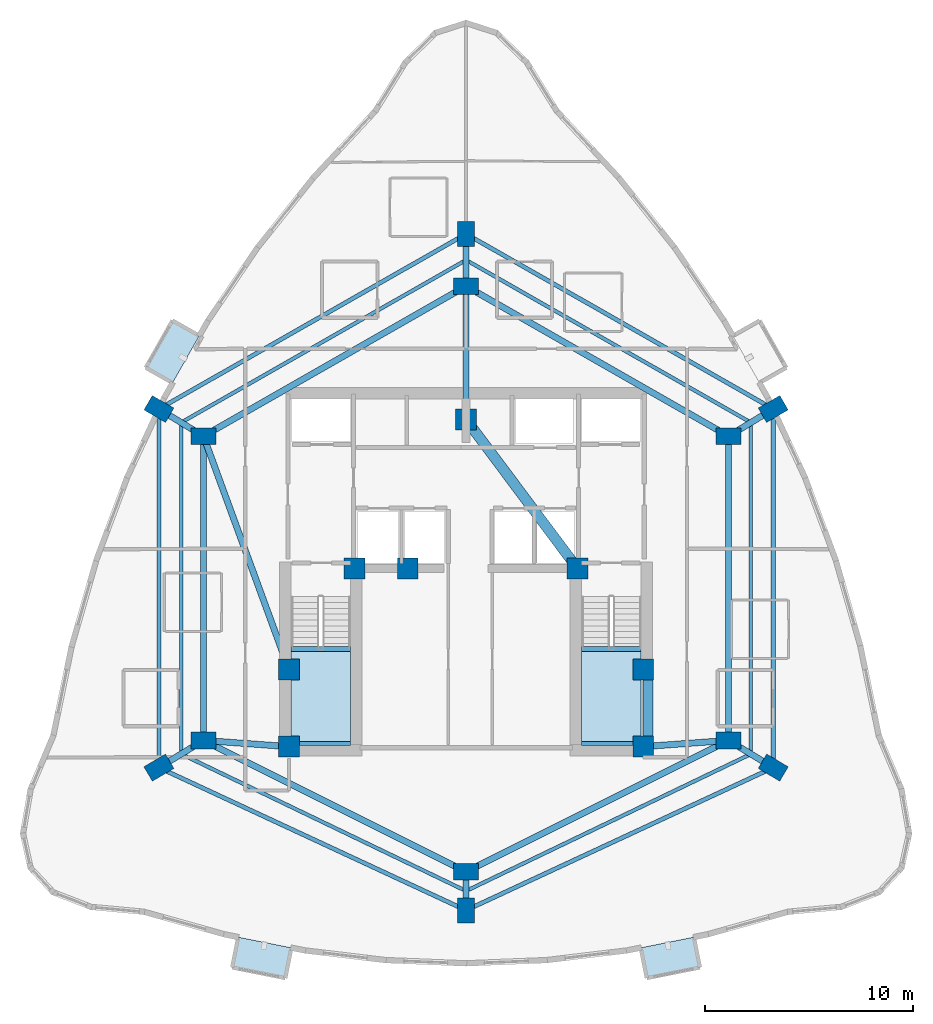
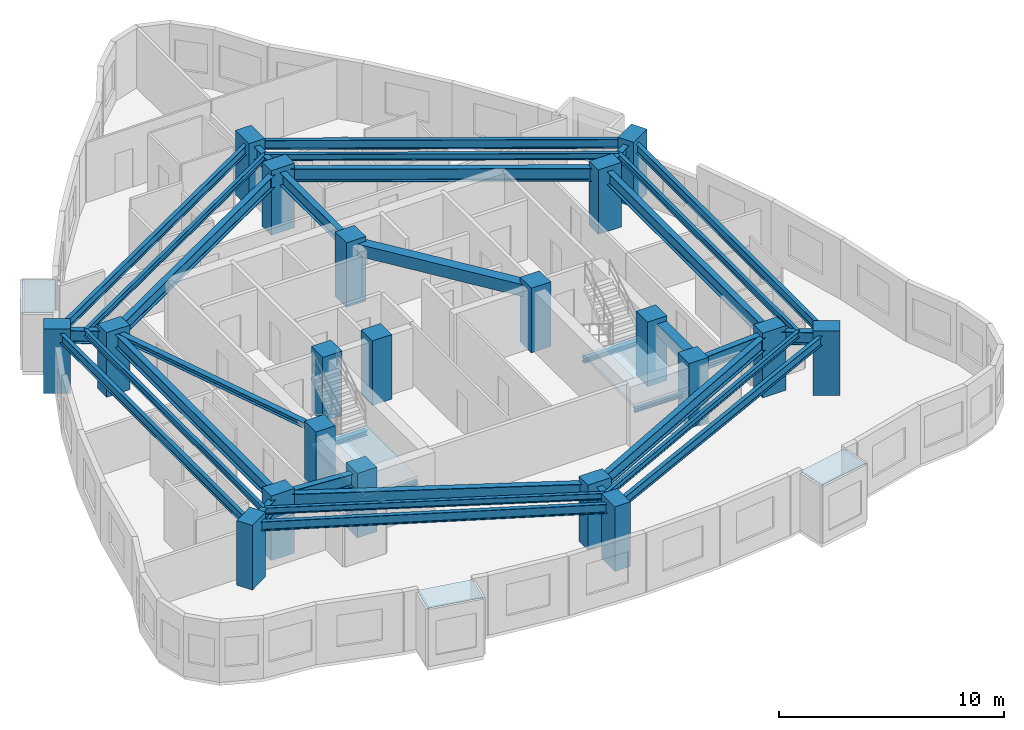
# One storey, part 1 of 10: 34 beams, 20 columns, 3 plates, 2 slabs, 2 elements without a shape of their own.
"""IFC4 building model written with IfcOpenShell, lengths in metres."""

import ifcopenshell
import ifcopenshell.guid

model = None  # the IFC model being written
_history = None  # IfcOwnerHistory: only IFC2X3 demands one
_inside = {}  # id of a spatial element -> (the spatial element, [elements in it])
_under = {}  # id of a project, library or spatial element -> (it, [spatial elements below it])
_declared = {}  # id of a project -> (the project, [libraries it declares])
_typed = {}  # id of a type object -> (the type object, [elements of that type])
_made_of = {}  # id of a material, layer set ... -> (it, [elements and type objects made of it])


def new_model(schema):
    """Start an empty IFC model of exactly this schema.

    Asked for "IFC4X3", IfcOpenShell would pick the latest addendum, in which some entities
    have other attributes; the version numbers below select the first issue.
    IFC2X3 requires an IfcOwnerHistory on every rooted entity: one is made here for all.
    """
    global model, _history
    if schema == "IFC4X3":
        model = ifcopenshell.file(schema_version=(4, 3, 0, 0))
    else:
        model = ifcopenshell.file(schema=schema)
    _inside.clear()
    _under.clear()
    _declared.clear()
    _typed.clear()
    _made_of.clear()
    _history = None
    if model.schema == "IFC2X3":
        org = make("IfcOrganization", Name="unknown")
        user = make(
            "IfcPersonAndOrganization",
            ThePerson=make("IfcPerson", FamilyName="unknown"),
            TheOrganization=org,
        )
        app = make(
            "IfcApplication",
            ApplicationDeveloper=org,
            Version="unknown",
            ApplicationFullName="unknown",
            ApplicationIdentifier="unknown",
        )
        _history = make(
            "IfcOwnerHistory",
            OwningUser=user,
            OwningApplication=app,
            ChangeAction="ADDED",
            CreationDate=0,
        )
    return model


def make(cls, **values):
    """One entity of the class cls with the attributes given. An attribute that is None is left unset."""
    return model.create_entity(
        cls, **{name: value for name, value in values.items() if value is not None}
    )


def rooted(cls, **values):
    """An entity with a GlobalId (a new one), such as an element, a storey or a relation."""
    return make(cls, GlobalId=ifcopenshell.guid.new(), OwnerHistory=_history, **values)


def si_unit(unit_type, name, prefix=None):
    """IfcSIUnit, for example si_unit("LENGTHUNIT", "METRE", prefix="MILLI")."""
    return make("IfcSIUnit", UnitType=unit_type, Prefix=prefix, Name=name)


def assignment(units):
    """IfcUnitAssignment: the units of a project."""
    return None if units is None else make("IfcUnitAssignment", Units=units)


def point(xyz):
    """IfcCartesianPoint."""
    return None if xyz is None else make("IfcCartesianPoint", Coordinates=xyz)


def direction(xyz):
    """IfcDirection."""
    return None if xyz is None else make("IfcDirection", DirectionRatios=xyz)


def frame(location, z_axis=None, x_axis=None):
    """IfcAxis2Placement3D, a coordinate frame: its origin and axes. An axis left out is left unset."""
    return make(
        "IfcAxis2Placement3D",
        Location=point(location),
        Axis=direction(z_axis),
        RefDirection=direction(x_axis),
    )


def frame_2d(location, x_axis=None):
    """IfcAxis2Placement2D, a coordinate frame in the plane: its origin and x axis."""
    return make(
        "IfcAxis2Placement2D", Location=point(location), RefDirection=direction(x_axis)
    )


def origin():
    """The frame at (0, 0, 0) with its axes left unset."""
    return frame((0.0, 0.0, 0.0))


def origin_2d():
    """The frame at (0, 0) in the plane with its x axis left unset."""
    return frame_2d((0.0, 0.0))


def place(relative_to, where):
    """IfcLocalPlacement: puts the frame where relative to a parent placement (None: the world)."""
    return make(
        "IfcLocalPlacement", PlacementRelTo=relative_to, RelativePlacement=where
    )


def context(
    kind, dimensions, precision=None, world=None, true_north=None, identifier=None
):
    """IfcGeometricRepresentationContext, for example the 3D "Model" context."""
    return make(
        "IfcGeometricRepresentationContext",
        ContextIdentifier=identifier,
        ContextType=kind,
        CoordinateSpaceDimension=dimensions,
        Precision=precision,
        WorldCoordinateSystem=world,
        TrueNorth=true_north,
    )


def subcontext(parent, identifier, kind, view, scale=None):
    """IfcGeometricRepresentationSubContext, for example "Body" below "Model"."""
    return make(
        "IfcGeometricRepresentationSubContext",
        ContextIdentifier=identifier,
        ContextType=kind,
        ParentContext=parent,
        TargetScale=scale,
        TargetView=view,
    )


def project(units=None, contexts=None):
    """IfcProject with its units and contexts."""
    return rooted(
        "IfcProject",
        Name="project",
        RepresentationContexts=contexts,
        UnitsInContext=assignment(units),
    )


def spatial(cls, under=None, at=None, **own):
    """A site, building, storey or space (cls), placed at a placement, below another one or the project."""
    s = rooted(cls, ObjectPlacement=at, **own)
    if under is not None:
        _under.setdefault(under.id(), (under, []))[1].append(s)
    return s


def polyline(points):
    """IfcPolyline through the points."""
    return make("IfcPolyline", Points=[point(p) for p in points])


def profile(cls, at=None, kind="AREA", **sizes):
    """A parametric profile (cls). Its sizes go by their IFC names, for example OverallWidth=200.0."""
    return make(cls, ProfileType=kind, Position=at, **sizes)


def rectangle(**sizes):
    """IfcRectangleProfileDef."""
    return profile("IfcRectangleProfileDef", **sizes)


def i_section(**sizes):
    """IfcIShapeProfileDef."""
    return profile("IfcIShapeProfileDef", **sizes)


def outline(outer, holes=None, kind="AREA"):
    """IfcArbitraryClosedProfileDef: a profile drawn as a closed curve; with holes, ...WithVoids."""
    if holes is None:
        return make("IfcArbitraryClosedProfileDef", ProfileType=kind, OuterCurve=outer)
    return make(
        "IfcArbitraryProfileDefWithVoids",
        ProfileType=kind,
        OuterCurve=outer,
        InnerCurves=holes,
    )


def extrude(swept, where, along, depth):
    """IfcExtrudedAreaSolid: the profile swept, set in the frame where, extruded along a direction by depth."""
    return make(
        "IfcExtrudedAreaSolid",
        SweptArea=swept,
        Position=where,
        ExtrudedDirection=direction(along),
        Depth=depth,
    )


def shape(context_of_items, identifier, shape_type, items):
    """IfcShapeRepresentation: the items that make up one representation, for example the "Body"."""
    return make(
        "IfcShapeRepresentation",
        ContextOfItems=context_of_items,
        RepresentationIdentifier=identifier,
        RepresentationType=shape_type,
        Items=items,
    )


def material(Name=None, Category=None):
    """IfcMaterial."""
    return make("IfcMaterial", Name=Name, Category=Category)


def layer(
    of_material, thickness, ventilated=None, Name=None, Category=None, Priority=None
):
    """IfcMaterialLayer: one layer of a wall or slab, of a material (None: an air gap)."""
    return make(
        "IfcMaterialLayer",
        Material=of_material,
        LayerThickness=thickness,
        IsVentilated=ventilated,
        Name=Name,
        Category=Category,
        Priority=Priority,
    )


def layer_set(layers, Name=None):
    """IfcMaterialLayerSet."""
    return make("IfcMaterialLayerSet", MaterialLayers=layers, LayerSetName=Name)


def material_profile(
    of_material, cross_section, Name=None, Category=None, Priority=None
):
    """IfcMaterialProfile: a cross section and its material."""
    return make(
        "IfcMaterialProfile",
        Name=Name,
        Material=of_material,
        Profile=cross_section,
        Priority=Priority,
        Category=Category,
    )


def profile_set(profiles, Name=None, composite=None):
    """IfcMaterialProfileSet."""
    return make(
        "IfcMaterialProfileSet",
        Name=Name,
        MaterialProfiles=profiles,
        CompositeProfile=composite,
    )


def made_of(thing, what):
    """Note that an element or type object is made of a material, layer set ...; save() writes the relation."""
    if what is not None:
        _made_of.setdefault(what.id(), (what, []))[1].append(thing)
    return thing


def type_object(cls, material=None, **own):
    """A type object (cls), such as IfcWallType, which elements share."""
    return made_of(rooted(cls, **own), material)


def element(
    cls,
    number,
    at=None,
    inside=None,
    cuts=None,
    type_object=None,
    material=None,
    context=None,
    identifier="Body",
    shape_type=None,
    held_by="IfcProductDefinitionShape",
    body=None,
    shapes=None,
    **own,
):
    """One element of the class cls, such as IfcWall. Its Tag is "e" and its number.

    at: its placement. inside: the storey or other place that contains it. cuts: it is an
    opening in that element (IfcRelVoidsElement). A single representation is given by context,
    identifier, shape_type and body (its items); several are given by shapes. held_by: the class
    of the entity that holds the representations. save() writes the other relations.
    """
    e = rooted(cls, Tag="e%d" % number, ObjectPlacement=at, **own)
    if body is not None:
        shapes = [shape(context, identifier, shape_type, body)]
    if shapes is not None:
        e.Representation = make(held_by, Representations=shapes)
    if inside is not None:
        _inside.setdefault(inside.id(), (inside, []))[1].append(e)
    if cuts is not None:
        rooted(
            "IfcRelVoidsElement", RelatingBuildingElement=cuts, RelatedOpeningElement=e
        )
    if type_object is not None:
        _typed.setdefault(type_object.id(), (type_object, []))[1].append(e)
    return made_of(e, material)


def aggregate(whole, parts):
    """IfcRelAggregates: a whole, such as a stair, and the parts it consists of."""
    return rooted("IfcRelAggregates", RelatingObject=whole, RelatedObjects=parts)


def save(model, path):
    """Write the relations noted so far, then the file.

    IfcRelAggregates (storeys below a building ...), IfcRelContainedInSpatialStructure (elements
    in a storey), IfcRelDefinesByType, IfcRelAssociatesMaterial and IfcRelDeclares: one each for
    every whole, place, type object, material and project.
    """
    for whole, parts in _under.values():
        aggregate(whole, parts)
    for where, things in _inside.values():
        rooted(
            "IfcRelContainedInSpatialStructure",
            RelatedElements=things,
            RelatingStructure=where,
        )
    for kind, things in _typed.values():
        rooted("IfcRelDefinesByType", RelatedObjects=things, RelatingType=kind)
    for what, things in _made_of.values():
        rooted("IfcRelAssociatesMaterial", RelatedObjects=things, RelatingMaterial=what)
    for by, libraries in _declared.values():
        rooted("IfcRelDeclares", RelatingContext=by, RelatedDefinitions=libraries)
    model.write(path)


model = new_model("IFC4")

# Units and contexts
model_context = context("Model", 3, precision=1e-05, world=origin(), true_north=direction((0.0, 1.0)))
body_context = subcontext(model_context, "Body", "Model", "MODEL_VIEW")
ifc_project = project(units=[si_unit("LENGTHUNIT", "METRE"), si_unit("AREAUNIT", "SQUARE_METRE"), si_unit("VOLUMEUNIT", "CUBIC_METRE"), si_unit("PLANEANGLEUNIT", "RADIAN"), si_unit("MASSUNIT", "GRAM", prefix="KILO")], contexts=[model_context])

# Site, building, storey
site_placement = place(None, origin())
site = spatial("IfcSite", under=ifc_project, at=site_placement, CompositionType="ELEMENT")
building_placement = place(site_placement, origin())
building = spatial("IfcBuilding", under=site, at=building_placement, Name="Miruveldt Soraemaru", CompositionType="ELEMENT")
storey_placement = place(building_placement, frame((0.0, 0.0, 166.89990234375)))
storey = spatial("IfcBuildingStorey", under=building, at=storey_placement, Name="L46", CompositionType="ELEMENT", Elevation=166.89990234375)

# Columns
ifc_material_1 = material(Name="Concrete C60/75 (60 MPa)", Category="concrete")
ifc_material_profile_1 = material_profile(ifc_material_1, rectangle(XDim=1.0, YDim=1.0, at=origin_2d()), Name="Concrete C60/75 (60 MPa)", Category="concrete")
ifc_profile_set_1 = profile_set([ifc_material_profile_1], Name="Concrete C60/75 (60 MPa)")
column_type_1 = type_object("IfcColumnType", Name="COL-CORE-1000", PredefinedType="COLUMN", material=ifc_profile_set_1)
for number, where, z_axis, x_axis, name in (
    (1, (35.5, 35.5, 0.0), (0.0, 0.0, 1.0), (1.0, 0.0, 0.0), "L46 Structural Column CC1"),
    (2, (38.64990234375, 44.050048828125, 0.0), (0.0, 0.0, 1.0), (1.0, 0.0, 0.0), "L46 Structural Column CC2"),
    (3, (52.5, 35.5, 0.0), (0.0, 0.0, 1.0), (1.0, 0.0, 0.0), "L46 Structural Column CC3"),
    (4, (52.5, 39.199951171875, 0.0), (0.0, 0.0, 1.0), (1.0, 0.0, 0.0), "L46 Structural Column CC4"),
    (5, (49.35009765625, 44.050048828125, 0.0), (0.0, 0.0, 1.0), (1.0, 0.0, 0.0), "L46 Structural Column CC5"),
    (6, (44.0, 51.199951171875, 0.0), (0.0, 0.0, 1.0), (1.0, 0.0, 0.0), "L46 Structural Column CC6"),
    (7, (35.5, 39.199951171875, 0.0), (0.0, 0.0, 1.0), (1.0, 0.0, 0.0), "L46 Structural Column CC7"),
    (8, (41.199951171875, 44.050048828125, 0.0), (0.0, 0.0, 1.0), (1.0, 0.0, 0.0), "L46 Structural Column CC8"),
):
    element("IfcColumn", number, at=place(storey_placement, frame(where, z_axis=z_axis, x_axis=x_axis)), inside=storey, type_object=column_type_1, Name=name, PredefinedType="COLUMN", context=body_context, shape_type="SweptSolid", body=[
        extrude(rectangle(XDim=1.0, YDim=1.0, at=origin_2d()), origin(), (0.0, 0.0, 1.0), 3.5),
    ])
ifc_material_2 = material(Name="Concrete C70/85 (70 MPa)", Category="concrete")
ifc_material_profile_2 = material_profile(ifc_material_2, rectangle(XDim=1.199951171875, YDim=0.800048828125, at=origin_2d()), Name="Concrete C70/85 (70 MPa)", Category="concrete")
ifc_profile_set_2 = profile_set([ifc_material_profile_2], Name="Concrete C70/85 (70 MPa)")
column_type_2 = type_object("IfcColumnType", Name="COL-TW-Z2", PredefinedType="COLUMN", material=ifc_profile_set_2)
for number, where, z_axis, x_axis, name in (
    (9, (44.0, 57.60009765625, 0.0), (0.0, 0.0, 1.0), (1.0, 0.0, 0.0), "L46 Structural Column IR01"),
    (10, (56.60009765625, 50.39990234375, 0.0), (0.0, 0.0, 1.0), (1.0, 0.0, 0.0), "L46 Structural Column IR02"),
    (11, (56.60009765625, 35.800048828125, 0.0), (0.0, 0.0, 1.0), (1.0, 0.0, 0.0), "L46 Structural Column IR03"),
    (12, (44.0, 29.5, 0.0), (0.0, 0.0, 1.0), (1.0, 0.0, 0.0), "L46 Structural Column IR04"),
    (13, (31.39990234375, 35.800048828125, 0.0), (0.0, 0.0, 1.0), (1.0, 0.0, 0.0), "L46 Structural Column IR05"),
    (14, (31.39990234375, 50.39990234375, 0.0), (0.0, 0.0, 1.0), (1.0, 0.0, 0.0), "L46 Structural Column IR06"),
    (15, (44.0, 60.10595703125, 0.0), (0.0, 0.0, 1.0), (0.0, 1.0, 0.0), "L46 Structural Column Z2P01"),
    (16, (58.739990234375, 51.705078125, 0.0), (0.0, 0.0, 1.0), (0.866025403784, 0.5, 0.0), "L46 Structural Column Z2P02"),
    (17, (58.739990234375, 34.4951171875, 0.0), (0.0, 0.0, 1.0), (-0.860742027004, 0.50904141575, 0.0), "L46 Structural Column Z2P03"),
    (18, (44.0, 27.64697265625, 0.0), (0.0, 0.0, 1.0), (0.0, 1.0, 0.0), "L46 Structural Column Z2P04"),
    (19, (29.260009765625, 34.4951171875, 0.0), (0.0, 0.0, 1.0), (0.860742027004, 0.50904141575, 0.0), "L46 Structural Column Z2P05"),
    (20, (29.260009765625, 51.705078125, 0.0), (0.0, 0.0, 1.0), (-0.866025403784, 0.5, 0.0), "L46 Structural Column Z2P06"),
):
    element("IfcColumn", number, at=place(storey_placement, frame(where, z_axis=z_axis, x_axis=x_axis)), inside=storey, type_object=column_type_2, Name=name, PredefinedType="COLUMN", context=body_context, shape_type="SweptSolid", body=[
        extrude(rectangle(XDim=1.199951171875, YDim=0.800048828125, at=origin_2d()), origin(), (0.0, 0.0, 1.0), 3.5),
    ])

# Beams
ifc_material_3 = material(Name="Steel SM355 (355 MPa)", Category="steel")
ifc_material_profile_3 = material_profile(ifc_material_3, i_section(OverallWidth=0.300048828125, OverallDepth=0.300048828125, WebThickness=0.010009765625, FlangeThickness=0.014892578125, FilletRadius=0.01806640625, at=origin_2d()), Name="Steel SM355 (355 MPa)", Category="steel")
ifc_profile_set_3 = profile_set([ifc_material_profile_3], Name="Steel SM355 (355 MPa)")
beam_type_1 = type_object("IfcBeamType", Name="BM-LNT-H300", PredefinedType="LINTEL", material=ifc_profile_set_3)
beam_1_placement = place(storey_placement, frame((31.39990234375, 50.39990234375, 3.085205078125), z_axis=(0.343770424598, -0.939053723262, 0.0), x_axis=(0.939053723262, 0.343770424598, 0.0)))
element("IfcBeam", 21, at=beam_1_placement, inside=storey, type_object=beam_type_1, Name="L46 West Lobby Lintel", PredefinedType="LINTEL", context=body_context, shape_type="SweptSolid", body=[
    extrude(i_section(OverallWidth=0.300048828125, OverallDepth=0.300048828125, WebThickness=0.010009765625, FlangeThickness=0.014892578125, FilletRadius=0.01806640625, at=origin_2d()), origin(), (0.0, 0.0, 1.0), 11.9267578125),
])
ifc_material_4 = material(Name="Concrete C50/60 (50 MPa)", Category="concrete")
ifc_material_profile_4 = material_profile(ifc_material_4, rectangle(XDim=0.5, YDim=0.64990234375, at=origin_2d()), Name="Concrete C50/60 (50 MPa)", Category="concrete")
ifc_profile_set_4 = profile_set([ifc_material_profile_4], Name="Concrete C50/60 (50 MPa)")
beam_type_2 = type_object("IfcBeamType", Name="BM-RC-500x650", PredefinedType="BEAM", material=ifc_profile_set_4)
beam_2_placement = place(storey_placement, frame((52.72998046875, 35.5, 2.91015625), z_axis=(0.0, 1.0, 0.0), x_axis=(-1.0, 0.0, 0.0)))
element("IfcBeam", 22, at=beam_2_placement, inside=storey, type_object=beam_type_2, Name="L46 Core Tie Beam 3", PredefinedType="BEAM", context=body_context, shape_type="SweptSolid", body=[
    extrude(rectangle(XDim=0.5, YDim=0.64990234375, at=origin_2d()), origin(), (0.0, 0.0, 1.0), 3.699951171875),
])
beam_3_placement = place(storey_placement, frame((49.35009765625, 44.050048828125, 2.91015625), z_axis=(-0.599116023999, 0.800662219533, 0.0), x_axis=(-0.800662219533, -0.599116023999, 0.0)))
element("IfcBeam", 23, at=beam_3_placement, inside=storey, type_object=beam_type_2, Name="L46 Core Tie Beam 5", PredefinedType="BEAM", context=body_context, shape_type="SweptSolid", body=[
    extrude(rectangle(XDim=0.5, YDim=0.64990234375, at=origin_2d()), origin(), (0.0, 0.0, 1.0), 8.929931640625),
])
ifc_material_profile_5 = material_profile(ifc_material_3, i_section(OverallWidth=0.175048828125, OverallDepth=0.35009765625, WebThickness=0.007080078125, FlangeThickness=0.010986328125, FilletRadius=0.013916015625, at=origin_2d()), Name="Steel SM355 (355 MPa)", Category="steel")
ifc_profile_set_5 = profile_set([ifc_material_profile_5], Name="Steel SM355 (355 MPa)")
beam_type_3 = type_object("IfcBeamType", Name="BM-ST-H350", PredefinedType="JOIST", material=ifc_profile_set_5)
beam_4_placement = place(storey_placement, frame((44.0, 58.85302734375, 3.06005859375), z_axis=(0.868539859756, -0.495619321672, 0.0), x_axis=(0.495619321672, 0.868539859756, 0.0)))
element("IfcBeam", 24, at=beam_4_placement, inside=storey, type_object=beam_type_3, Name="L46 Outer Bay Floor Joist 1", PredefinedType="JOIST", context=body_context, shape_type="SweptSolid", body=[
    extrude(i_section(OverallWidth=0.175048828125, OverallDepth=0.35009765625, WebThickness=0.007080078125, FlangeThickness=0.010986328125, FilletRadius=0.013916015625, at=origin_2d()), origin(), (0.0, 0.0, 1.0), 15.739013671875),
])
beam_5_placement = place(storey_placement, frame((57.669921875, 51.052490234375, 3.06005859375), z_axis=(0.0, -1.0, 0.0), x_axis=(1.0, 0.0, 0.0)))
element("IfcBeam", 25, at=beam_5_placement, inside=storey, type_object=beam_type_3, Name="L46 Outer Bay Floor Joist 2", PredefinedType="JOIST", context=body_context, shape_type="SweptSolid", body=[
    extrude(i_section(OverallWidth=0.175048828125, OverallDepth=0.35009765625, WebThickness=0.007080078125, FlangeThickness=0.010986328125, FilletRadius=0.013916015625, at=origin_2d()), origin(), (0.0, 0.0, 1.0), 15.905029296875),
])
for number, where, z_axis, x_axis, name in (
    (26, (57.669921875, 35.1474609375, 3.06005859375), (-0.901203586802, -0.433396002676, 0.0), (0.433396002676, -0.901203586802, 0.0), "L46 Outer Bay Floor Joist 3"),
    (27, (44.0, 28.573486328125, 3.06005859375), (-0.901203586802, 0.433396002676, 0.0), (-0.433396002676, -0.901203586802, 0.0), "L46 Outer Bay Floor Joist 4"),
):
    element("IfcBeam", number, at=place(storey_placement, frame(where, z_axis=z_axis, x_axis=x_axis)), inside=storey, type_object=beam_type_3, Name=name, PredefinedType="JOIST", context=body_context, shape_type="SweptSolid", body=[
        extrude(i_section(OverallWidth=0.175048828125, OverallDepth=0.35009765625, WebThickness=0.007080078125, FlangeThickness=0.010986328125, FilletRadius=0.013916015625, at=origin_2d()), origin(), (0.0, 0.0, 1.0), 15.16845703125),
    ])
beam_6_placement = place(storey_placement, frame((30.330078125, 35.1474609375, 3.06005859375), z_axis=(0.0, 1.0, 0.0), x_axis=(-1.0, 0.0, 0.0)))
element("IfcBeam", 28, at=beam_6_placement, inside=storey, type_object=beam_type_3, Name="L46 Outer Bay Floor Joist 5", PredefinedType="JOIST", context=body_context, shape_type="SweptSolid", body=[
    extrude(i_section(OverallWidth=0.175048828125, OverallDepth=0.35009765625, WebThickness=0.007080078125, FlangeThickness=0.010986328125, FilletRadius=0.013916015625, at=origin_2d()), origin(), (0.0, 0.0, 1.0), 15.905029296875),
])
beam_7_placement = place(storey_placement, frame((30.330078125, 51.052490234375, 3.06005859375), z_axis=(0.868539859756, 0.495619321672, 0.0), x_axis=(-0.495619321672, 0.868539859756, 0.0)))
element("IfcBeam", 29, at=beam_7_placement, inside=storey, type_object=beam_type_3, Name="L46 Outer Bay Floor Joist 6", PredefinedType="JOIST", context=body_context, shape_type="SweptSolid", body=[
    extrude(i_section(OverallWidth=0.175048828125, OverallDepth=0.35009765625, WebThickness=0.007080078125, FlangeThickness=0.010986328125, FilletRadius=0.013916015625, at=origin_2d()), origin(), (0.0, 0.0, 1.0), 15.739013671875),
])
ifc_material_profile_6 = material_profile(ifc_material_3, i_section(OverallWidth=0.199951171875, OverallDepth=0.5, WebThickness=0.010009765625, FlangeThickness=0.01611328125, FilletRadius=0.02001953125, at=origin_2d()), Name="Steel SM355 (355 MPa)", Category="steel")
ifc_profile_set_6 = profile_set([ifc_material_profile_6], Name="Steel SM355 (355 MPa)")
beam_type_4 = type_object("IfcBeamType", Name="BM-ST-H500", PredefinedType="SPANDREL", material=ifc_profile_set_6)
beam_8_placement = place(storey_placement, frame((44.0, 60.10595703125, 2.985107421875), z_axis=(0.86880048516, -0.495162313778, 0.0), x_axis=(0.495162313778, 0.86880048516, 0.0)))
element("IfcBeam", 30, at=beam_8_placement, inside=storey, type_object=beam_type_4, Name="L46 Zone-2 Spandrel Beam 1", PredefinedType="SPANDREL", context=body_context, shape_type="SweptSolid", body=[
    extrude(i_section(OverallWidth=0.199951171875, OverallDepth=0.5, WebThickness=0.010009765625, FlangeThickness=0.01611328125, FilletRadius=0.02001953125, at=origin_2d()), origin(), (0.0, 0.0, 1.0), 16.9658203125),
])
beam_9_placement = place(storey_placement, frame((58.739990234375, 51.705078125, 2.985107421875), z_axis=(0.0, -1.0, 0.0), x_axis=(1.0, 0.0, 0.0)))
element("IfcBeam", 31, at=beam_9_placement, inside=storey, type_object=beam_type_4, Name="L46 Zone-2 Spandrel Beam 2", PredefinedType="SPANDREL", context=body_context, shape_type="SweptSolid", body=[
    extrude(i_section(OverallWidth=0.199951171875, OverallDepth=0.5, WebThickness=0.010009765625, FlangeThickness=0.01611328125, FilletRadius=0.02001953125, at=origin_2d()), origin(), (0.0, 0.0, 1.0), 17.2099609375),
])
for number, where, z_axis, x_axis, name in (
    (32, (58.739990234375, 34.4951171875, 2.985107421875), (-0.906901362829, -0.421342993414, 0.0), (0.421342993414, -0.906901362829, 0.0), "L46 Zone-2 Spandrel Beam 3"),
    (33, (44.0, 27.64697265625, 2.985107421875), (-0.906901362829, 0.421342993414, 0.0), (-0.421342993414, -0.906901362829, 0.0), "L46 Zone-2 Spandrel Beam 4"),
):
    element("IfcBeam", number, at=place(storey_placement, frame(where, z_axis=z_axis, x_axis=x_axis)), inside=storey, type_object=beam_type_4, Name=name, PredefinedType="SPANDREL", context=body_context, shape_type="SweptSolid", body=[
        extrude(i_section(OverallWidth=0.199951171875, OverallDepth=0.5, WebThickness=0.010009765625, FlangeThickness=0.01611328125, FilletRadius=0.02001953125, at=origin_2d()), origin(), (0.0, 0.0, 1.0), 16.253173828125),
    ])
beam_10_placement = place(storey_placement, frame((29.260009765625, 34.4951171875, 2.985107421875), z_axis=(0.0, 1.0, 0.0), x_axis=(-1.0, 0.0, 0.0)))
element("IfcBeam", 34, at=beam_10_placement, inside=storey, type_object=beam_type_4, Name="L46 Zone-2 Spandrel Beam 5", PredefinedType="SPANDREL", context=body_context, shape_type="SweptSolid", body=[
    extrude(i_section(OverallWidth=0.199951171875, OverallDepth=0.5, WebThickness=0.010009765625, FlangeThickness=0.01611328125, FilletRadius=0.02001953125, at=origin_2d()), origin(), (0.0, 0.0, 1.0), 17.2099609375),
])
beam_11_placement = place(storey_placement, frame((29.260009765625, 51.705078125, 2.985107421875), z_axis=(0.86880048516, 0.495162313778, 0.0), x_axis=(-0.495162313778, 0.86880048516, 0.0)))
element("IfcBeam", 35, at=beam_11_placement, inside=storey, type_object=beam_type_4, Name="L46 Zone-2 Spandrel Beam 6", PredefinedType="SPANDREL", context=body_context, shape_type="SweptSolid", body=[
    extrude(i_section(OverallWidth=0.199951171875, OverallDepth=0.5, WebThickness=0.010009765625, FlangeThickness=0.01611328125, FilletRadius=0.02001953125, at=origin_2d()), origin(), (0.0, 0.0, 1.0), 16.9658203125),
])
ifc_material_profile_7 = material_profile(ifc_material_3, i_section(OverallWidth=0.300048828125, OverallDepth=0.699951171875, WebThickness=0.012939453125, FlangeThickness=0.02392578125, FilletRadius=0.028076171875, at=origin_2d()), Name="Steel SM355 (355 MPa)", Category="steel")
ifc_profile_set_7 = profile_set([ifc_material_profile_7], Name="Steel SM355 (355 MPa)")
beam_type_5 = type_object("IfcBeamType", Name="BM-ST-H700", PredefinedType="BEAM", material=ifc_profile_set_7)
beam_12_placement = place(storey_placement, frame((44.0, 57.60009765625, 2.885009765625), z_axis=(0.868239001029, -0.496146185203, 0.0), x_axis=(0.496146185203, 0.868239001029, 0.0)))
element("IfcBeam", 36, at=beam_12_placement, inside=storey, type_object=beam_type_5, Name="L46 Inner Ring Girder 1", PredefinedType="BEAM", context=body_context, shape_type="SweptSolid", body=[
    extrude(i_section(OverallWidth=0.300048828125, OverallDepth=0.699951171875, WebThickness=0.012939453125, FlangeThickness=0.02392578125, FilletRadius=0.028076171875, at=origin_2d()), origin(), (0.0, 0.0, 1.0), 14.51220703125),
])
beam_13_placement = place(storey_placement, frame((44.0, 51.199951171875, 2.885009765625), z_axis=(0.0, 1.0, 0.0), x_axis=(-1.0, 0.0, 0.0)))
element("IfcBeam", 37, at=beam_13_placement, inside=storey, type_object=beam_type_5, Name="L46 Core-to-Inner Radial Girder 1", PredefinedType="BEAM", context=body_context, shape_type="SweptSolid", body=[
    extrude(i_section(OverallWidth=0.300048828125, OverallDepth=0.699951171875, WebThickness=0.012939453125, FlangeThickness=0.02392578125, FilletRadius=0.028076171875, at=origin_2d()), origin(), (0.0, 0.0, 1.0), 6.400146484375),
])
beam_14_placement = place(storey_placement, frame((56.60009765625, 50.39990234375, 2.885009765625), z_axis=(0.0, -1.0, 0.0), x_axis=(1.0, 0.0, 0.0)))
element("IfcBeam", 38, at=beam_14_placement, inside=storey, type_object=beam_type_5, Name="L46 Inner Ring Girder 2", PredefinedType="BEAM", context=body_context, shape_type="SweptSolid", body=[
    extrude(i_section(OverallWidth=0.300048828125, OverallDepth=0.699951171875, WebThickness=0.012939453125, FlangeThickness=0.02392578125, FilletRadius=0.028076171875, at=origin_2d()), origin(), (0.0, 0.0, 1.0), 14.599853515625),
])
beam_15_placement = place(storey_placement, frame((56.60009765625, 35.800048828125, 2.885009765625), z_axis=(-0.894427191, -0.4472135955, 0.0), x_axis=(0.4472135955, -0.894427191, 0.0)))
element("IfcBeam", 39, at=beam_15_placement, inside=storey, type_object=beam_type_5, Name="L46 Inner Ring Girder 3", PredefinedType="BEAM", context=body_context, shape_type="SweptSolid", body=[
    extrude(i_section(OverallWidth=0.300048828125, OverallDepth=0.699951171875, WebThickness=0.012939453125, FlangeThickness=0.02392578125, FilletRadius=0.028076171875, at=origin_2d()), origin(), (0.0, 0.0, 1.0), 14.08740234375),
])
beam_16_placement = place(storey_placement, frame((52.5, 35.5, 2.885009765625), z_axis=(0.997332985605, 0.072985723431, 0.0), x_axis=(-0.072985723431, 0.997332985605, 0.0)))
element("IfcBeam", 40, at=beam_16_placement, inside=storey, type_object=beam_type_5, Name="L46 Core-to-Inner Radial Girder 3", PredefinedType="BEAM", context=body_context, shape_type="SweptSolid", body=[
    extrude(i_section(OverallWidth=0.300048828125, OverallDepth=0.699951171875, WebThickness=0.012939453125, FlangeThickness=0.02392578125, FilletRadius=0.028076171875, at=origin_2d()), origin(), (0.0, 0.0, 1.0), 4.111083984375),
])
beam_17_placement = place(storey_placement, frame((44.0, 29.5, 2.885009765625), z_axis=(-0.894427191, 0.4472135955, 0.0), x_axis=(-0.4472135955, -0.894427191, 0.0)))
element("IfcBeam", 41, at=beam_17_placement, inside=storey, type_object=beam_type_5, Name="L46 Inner Ring Girder 4", PredefinedType="BEAM", context=body_context, shape_type="SweptSolid", body=[
    extrude(i_section(OverallWidth=0.300048828125, OverallDepth=0.699951171875, WebThickness=0.012939453125, FlangeThickness=0.02392578125, FilletRadius=0.028076171875, at=origin_2d()), origin(), (0.0, 0.0, 1.0), 14.08740234375),
])
beam_18_placement = place(storey_placement, frame((31.39990234375, 35.800048828125, 2.885009765625), z_axis=(0.0, 1.0, 0.0), x_axis=(-1.0, 0.0, 0.0)))
element("IfcBeam", 42, at=beam_18_placement, inside=storey, type_object=beam_type_5, Name="L46 Inner Ring Girder 5", PredefinedType="BEAM", context=body_context, shape_type="SweptSolid", body=[
    extrude(i_section(OverallWidth=0.300048828125, OverallDepth=0.699951171875, WebThickness=0.012939453125, FlangeThickness=0.02392578125, FilletRadius=0.028076171875, at=origin_2d()), origin(), (0.0, 0.0, 1.0), 14.599853515625),
])
beam_19_placement = place(storey_placement, frame((35.5, 35.5, 2.885009765625), z_axis=(-0.997332985605, 0.072985723431, 0.0), x_axis=(-0.072985723431, -0.997332985605, 0.0)))
element("IfcBeam", 43, at=beam_19_placement, inside=storey, type_object=beam_type_5, Name="L46 Core-to-Inner Radial Girder 5", PredefinedType="BEAM", context=body_context, shape_type="SweptSolid", body=[
    extrude(i_section(OverallWidth=0.300048828125, OverallDepth=0.699951171875, WebThickness=0.012939453125, FlangeThickness=0.02392578125, FilletRadius=0.028076171875, at=origin_2d()), origin(), (0.0, 0.0, 1.0), 4.111083984375),
])
beam_20_placement = place(storey_placement, frame((31.39990234375, 50.39990234375, 2.885009765625), z_axis=(0.868239001029, 0.496146185203, 0.0), x_axis=(-0.496146185203, 0.868239001029, 0.0)))
element("IfcBeam", 44, at=beam_20_placement, inside=storey, type_object=beam_type_5, Name="L46 Inner Ring Girder 6", PredefinedType="BEAM", context=body_context, shape_type="SweptSolid", body=[
    extrude(i_section(OverallWidth=0.300048828125, OverallDepth=0.699951171875, WebThickness=0.012939453125, FlangeThickness=0.02392578125, FilletRadius=0.028076171875, at=origin_2d()), origin(), (0.0, 0.0, 1.0), 14.51220703125),
])
beam_21_placement = place(storey_placement, frame((44.0, 57.60009765625, 2.885009765625), z_axis=(0.0, 1.0, 0.0), x_axis=(-1.0, 0.0, 0.0)))
element("IfcBeam", 45, at=beam_21_placement, inside=storey, type_object=beam_type_5, Name="L46 Zone-2 Radial Girder 1", PredefinedType="BEAM", context=body_context, shape_type="SweptSolid", body=[
    extrude(i_section(OverallWidth=0.300048828125, OverallDepth=0.699951171875, WebThickness=0.012939453125, FlangeThickness=0.02392578125, FilletRadius=0.028076171875, at=origin_2d()), origin(), (0.0, 0.0, 1.0), 2.505859375),
])
beam_22_placement = place(storey_placement, frame((56.60009765625, 50.39990234375, 2.885009765625), z_axis=(0.85373175529, 0.520713059188, 0.0), x_axis=(-0.520713059188, 0.85373175529, 0.0)))
element("IfcBeam", 46, at=beam_22_placement, inside=storey, type_object=beam_type_5, Name="L46 Zone-2 Radial Girder 2", PredefinedType="BEAM", context=body_context, shape_type="SweptSolid", body=[
    extrude(i_section(OverallWidth=0.300048828125, OverallDepth=0.699951171875, WebThickness=0.012939453125, FlangeThickness=0.02392578125, FilletRadius=0.028076171875, at=origin_2d()), origin(), (0.0, 0.0, 1.0), 2.506591796875),
])
beam_23_placement = place(storey_placement, frame((56.60009765625, 35.800048828125, 2.885009765625), z_axis=(0.853775054686, -0.5206420613, 0.0), x_axis=(0.5206420613, 0.853775054686, 0.0)))
element("IfcBeam", 47, at=beam_23_placement, inside=storey, type_object=beam_type_5, Name="L46 Zone-2 Radial Girder 3", PredefinedType="BEAM", context=body_context, shape_type="SweptSolid", body=[
    extrude(i_section(OverallWidth=0.300048828125, OverallDepth=0.699951171875, WebThickness=0.012939453125, FlangeThickness=0.02392578125, FilletRadius=0.028076171875, at=origin_2d()), origin(), (0.0, 0.0, 1.0), 2.50634765625),
])
beam_24_placement = place(storey_placement, frame((44.0, 29.5, 2.885009765625), z_axis=(0.0, -1.0, 0.0), x_axis=(1.0, 0.0, 0.0)))
element("IfcBeam", 48, at=beam_24_placement, inside=storey, type_object=beam_type_5, Name="L46 Zone-2 Radial Girder 4", PredefinedType="BEAM", context=body_context, shape_type="SweptSolid", body=[
    extrude(i_section(OverallWidth=0.300048828125, OverallDepth=0.699951171875, WebThickness=0.012939453125, FlangeThickness=0.02392578125, FilletRadius=0.028076171875, at=origin_2d()), origin(), (0.0, 0.0, 1.0), 1.85302734375),
])
beam_25_placement = place(storey_placement, frame((31.39990234375, 35.800048828125, 2.885009765625), z_axis=(-0.853775054686, -0.5206420613, 0.0), x_axis=(0.5206420613, -0.853775054686, 0.0)))
element("IfcBeam", 49, at=beam_25_placement, inside=storey, type_object=beam_type_5, Name="L46 Zone-2 Radial Girder 5", PredefinedType="BEAM", context=body_context, shape_type="SweptSolid", body=[
    extrude(i_section(OverallWidth=0.300048828125, OverallDepth=0.699951171875, WebThickness=0.012939453125, FlangeThickness=0.02392578125, FilletRadius=0.028076171875, at=origin_2d()), origin(), (0.0, 0.0, 1.0), 2.50634765625),
])
beam_26_placement = place(storey_placement, frame((31.39990234375, 50.39990234375, 2.885009765625), z_axis=(-0.85373175529, 0.520713059188, 0.0), x_axis=(-0.520713059188, -0.85373175529, 0.0)))
element("IfcBeam", 50, at=beam_26_placement, inside=storey, type_object=beam_type_5, Name="L46 Zone-2 Radial Girder 6", PredefinedType="BEAM", context=body_context, shape_type="SweptSolid", body=[
    extrude(i_section(OverallWidth=0.300048828125, OverallDepth=0.699951171875, WebThickness=0.012939453125, FlangeThickness=0.02392578125, FilletRadius=0.028076171875, at=origin_2d()), origin(), (0.0, 0.0, 1.0), 2.506591796875),
])
ifc_material_profile_8 = material_profile(ifc_material_3, i_section(OverallWidth=0.199951171875, OverallDepth=0.199951171875, WebThickness=0.008056640625, FlangeThickness=0.011962890625, FilletRadius=0.012939453125, at=origin_2d()), Name="Steel SM355 (355 MPa)", Category="steel")
ifc_profile_set_8 = profile_set([ifc_material_profile_8], Name="Steel SM355 (355 MPa)")
beam_type_6 = type_object("IfcBeamType", Name="BM-ST-LND200", PredefinedType="BEAM", material=ifc_profile_set_8)
for number, where, z_axis, x_axis, name in (
    (51, (35.60009765625, 35.64990234375, 1.4501953125), (1.0, 0.0, 0.0), (0.0, 1.0, 0.0), "L46 ST1 Landing End Beam 1B"),
    (52, (49.550048828125, 35.64990234375, 1.4501953125), (1.0, 0.0, 0.0), (0.0, 1.0, 0.0), "L46 ST2 Landing End Beam 1B"),
):
    element("IfcBeam", number, at=place(storey_placement, frame(where, z_axis=z_axis, x_axis=x_axis)), inside=storey, type_object=beam_type_6, Name=name, PredefinedType="BEAM", context=body_context, shape_type="SweptSolid", body=[
        extrude(i_section(OverallWidth=0.199951171875, OverallDepth=0.199951171875, WebThickness=0.008056640625, FlangeThickness=0.011962890625, FilletRadius=0.012939453125, at=origin_2d()), origin(), (0.0, 0.0, 1.0), 2.849853515625),
    ])
ifc_material_profile_9 = material_profile(ifc_material_3, i_section(OverallWidth=0.25, OverallDepth=0.25, WebThickness=0.009033203125, FlangeThickness=0.013916015625, FilletRadius=0.01611328125, at=origin_2d()), Name="Steel SM355 (355 MPa)", Category="steel")
ifc_profile_set_9 = profile_set([ifc_material_profile_9], Name="Steel SM355 (355 MPa)")
beam_type_7 = type_object("IfcBeamType", Name="BM-ST-LND250", PredefinedType="BEAM", material=ifc_profile_set_9)
for number, where, z_axis, x_axis, name in (
    (53, (35.60009765625, 40.179931640625, 1.425048828125), (1.0, 0.0, 0.0), (0.0, 1.0, 0.0), "L46 ST1 Landing Support Beam 1A"),
    (54, (49.550048828125, 40.179931640625, 1.425048828125), (1.0, 0.0, 0.0), (0.0, 1.0, 0.0), "L46 ST2 Landing Support Beam 1A"),
):
    element("IfcBeam", number, at=place(storey_placement, frame(where, z_axis=z_axis, x_axis=x_axis)), inside=storey, type_object=beam_type_7, Name=name, PredefinedType="BEAM", context=body_context, shape_type="SweptSolid", body=[
        extrude(i_section(OverallWidth=0.25, OverallDepth=0.25, WebThickness=0.009033203125, FlangeThickness=0.013916015625, FilletRadius=0.01611328125, at=origin_2d()), origin(), (0.0, 0.0, 1.0), 2.849853515625),
    ])

# Plates
ifc_material_5 = material(Name="Standing-seam titanium-zinc sheet", Category="aluminium")
ifc_layer_1 = layer(ifc_material_5, 0.011962890625, Name="Standing-seam titanium-zinc sheet", Category="aluminium")
ifc_layer_set_1 = layer_set([ifc_layer_1], Name="Standing-seam titanium-zinc sheet")
plate_type = type_object("IfcPlateType", Name="PLT-ZINC-12", PredefinedType="SHEET", material=ifc_layer_set_1)
plate_1_placement = place(storey_placement, frame((0.0, 0.0, 3.085205078125)))
element("IfcPlate", 55, at=plate_1_placement, inside=storey, type_object=plate_type, Name="L46 Bay Window Zinc Hood Sheet 1", PredefinedType="SHEET", context=body_context, shape_type="SweptSolid", body=[
    extrude(outline(polyline([(31.198486328125, 55.217041015625), (29.915771484375, 52.95556640625), (28.62841796875, 53.685791015625), (29.9111328125, 55.947265625), (31.198486328125, 55.217041015625)])), origin(), (0.0, 0.0, 1.0), 0.011962890625),
])
plate_2_placement = place(storey_placement, frame((0.0, 0.0, 3.085205078125)))
element("IfcPlate", 56, at=plate_2_placement, inside=storey, type_object=plate_type, Name="L46 Bay Window Zinc Hood Sheet 2", PredefinedType="SHEET", context=body_context, shape_type="SweptSolid", body=[
    extrude(outline(polyline([(33.06591796875, 26.357177734375), (35.615478515625, 25.847412109375), (35.3251953125, 24.39599609375), (32.77587890625, 24.906005859375), (33.06591796875, 26.357177734375)])), origin(), (0.0, 0.0, 1.0), 0.011962890625),
])
plate_3_placement = place(storey_placement, frame((0.0, 0.0, 3.085205078125)))
element("IfcPlate", 57, at=plate_3_placement, inside=storey, type_object=plate_type, Name="L46 Bay Window Zinc Hood Sheet 3", PredefinedType="SHEET", context=body_context, shape_type="SweptSolid", body=[
    extrude(outline(polyline([(52.384521484375, 25.847412109375), (54.93408203125, 26.357177734375), (55.22412109375, 24.906005859375), (52.6748046875, 24.39599609375), (52.384521484375, 25.847412109375)])), origin(), (0.0, 0.0, 1.0), 0.011962890625),
])

# Stair, slab
ifc_material_6 = material(Name="Concrete C40/50 (40 MPa)", Category="concrete")
stair_type = type_object("IfcStairType", Name="STAIR-DL-350", PredefinedType="HALF_TURN_STAIR", material=ifc_material_6)
stair_1_placement = place(storey_placement, origin())
stair_1 = element("IfcStair", 58, at=stair_1_placement, inside=storey, type_object=stair_type, Name="L46 Protected Exit Stair ST-1", PredefinedType="HALF_TURN_STAIR")
ifc_layer_2 = layer(ifc_material_6, 0.199951171875, Name="Concrete C40/50 (40 MPa)", Category="concrete")
ifc_layer_set_2 = layer_set([ifc_layer_2], Name="Concrete C40/50 (40 MPa)")
slab_type = type_object("IfcSlabType", Name="SLAB-LAND-200", PredefinedType="LANDING", material=ifc_layer_set_2)
slab_1_placement = place(storey_placement, frame((0.0, 0.0, 1.550048828125)))
slab_1 = element("IfcSlab", 59, at=slab_1_placement, type_object=slab_type, Name="ST-1 landing 1", PredefinedType="LANDING", context=body_context, shape_type="SweptSolid", body=[
    extrude(outline(polyline([(35.60009765625, 40.197998046875), (35.60009765625, 35.64990234375), (38.449951171875, 35.64990234375), (38.449951171875, 40.197998046875), (35.60009765625, 40.197998046875)])), origin(), (0.0, 0.0, 1.0), 0.199951171875),
])
aggregate(stair_1, [slab_1])

stair_2_placement = place(storey_placement, origin())
stair_2 = element("IfcStair", 60, at=stair_2_placement, inside=storey, type_object=stair_type, Name="L46 Protected Exit Stair ST-2", PredefinedType="HALF_TURN_STAIR")
slab_2_placement = place(storey_placement, frame((0.0, 0.0, 1.550048828125)))
slab_2 = element("IfcSlab", 61, at=slab_2_placement, type_object=slab_type, Name="ST-2 landing 1", PredefinedType="LANDING", context=body_context, shape_type="SweptSolid", body=[
    extrude(outline(polyline([(49.550048828125, 40.197998046875), (49.550048828125, 35.64990234375), (52.39990234375, 35.64990234375), (52.39990234375, 40.197998046875), (49.550048828125, 40.197998046875)])), origin(), (0.0, 0.0, 1.0), 0.199951171875),
])
aggregate(stair_2, [slab_2])

save(model, "model.ifc")
